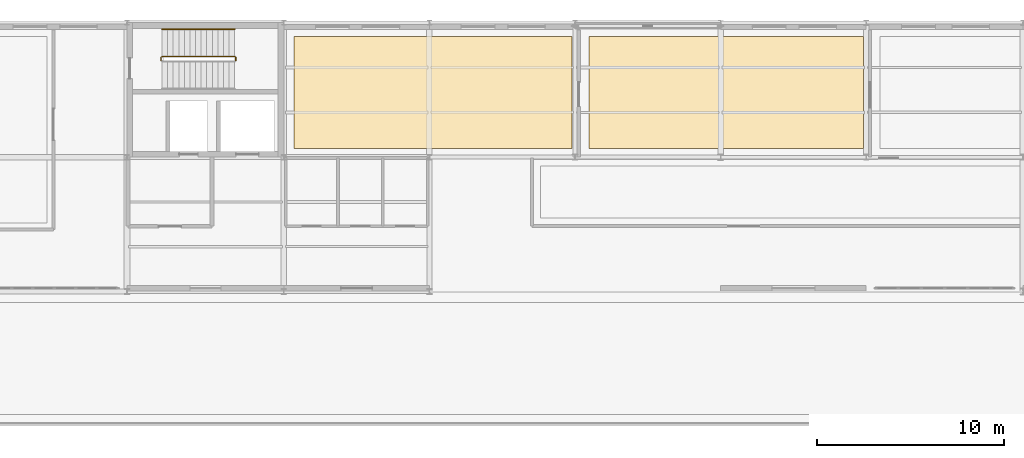
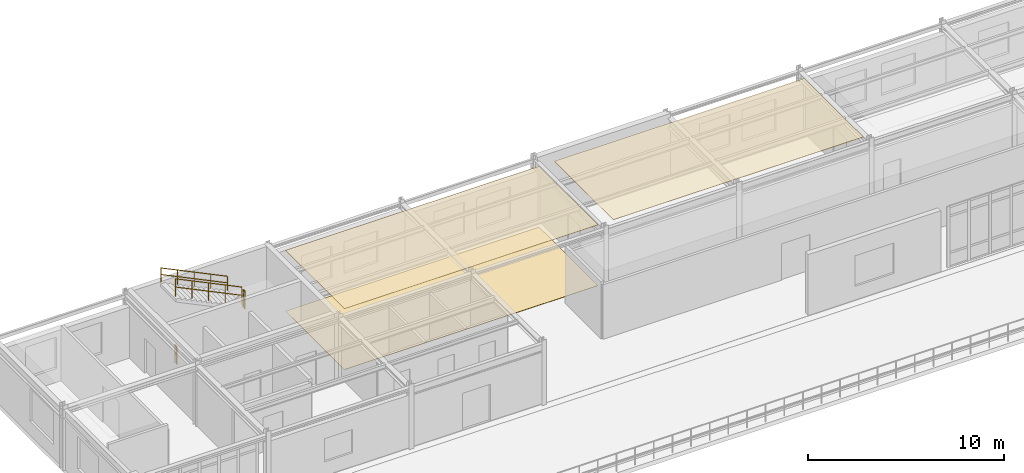
# One storey, part 57 of 58: 4 railings, 3 coverings.
"""IFC4 building model written with IfcOpenShell, lengths in metres."""

import ifcopenshell
import ifcopenshell.guid

model = None  # the IFC model being written
_history = None  # IfcOwnerHistory: only IFC2X3 demands one
_inside = {}  # id of a spatial element -> (the spatial element, [elements in it])
_under = {}  # id of a project, library or spatial element -> (it, [spatial elements below it])
_declared = {}  # id of a project -> (the project, [libraries it declares])
_typed = {}  # id of a type object -> (the type object, [elements of that type])
_made_of = {}  # id of a material, layer set ... -> (it, [elements and type objects made of it])


def new_model(schema):
    """Start an empty IFC model of exactly this schema.

    Asked for "IFC4X3", IfcOpenShell would pick the latest addendum, in which some entities
    have other attributes; the version numbers below select the first issue.
    IFC2X3 requires an IfcOwnerHistory on every rooted entity: one is made here for all.
    """
    global model, _history
    if schema == "IFC4X3":
        model = ifcopenshell.file(schema_version=(4, 3, 0, 0))
    else:
        model = ifcopenshell.file(schema=schema)
    _inside.clear()
    _under.clear()
    _declared.clear()
    _typed.clear()
    _made_of.clear()
    _history = None
    if model.schema == "IFC2X3":
        org = make("IfcOrganization", Name="unknown")
        user = make(
            "IfcPersonAndOrganization",
            ThePerson=make("IfcPerson", FamilyName="unknown"),
            TheOrganization=org,
        )
        app = make(
            "IfcApplication",
            ApplicationDeveloper=org,
            Version="unknown",
            ApplicationFullName="unknown",
            ApplicationIdentifier="unknown",
        )
        _history = make(
            "IfcOwnerHistory",
            OwningUser=user,
            OwningApplication=app,
            ChangeAction="ADDED",
            CreationDate=0,
        )
    return model


def make(cls, **values):
    """One entity of the class cls with the attributes given. An attribute that is None is left unset."""
    return model.create_entity(
        cls, **{name: value for name, value in values.items() if value is not None}
    )


def rooted(cls, **values):
    """An entity with a GlobalId (a new one), such as an element, a storey or a relation."""
    return make(cls, GlobalId=ifcopenshell.guid.new(), OwnerHistory=_history, **values)


def si_unit(unit_type, name, prefix=None):
    """IfcSIUnit, for example si_unit("LENGTHUNIT", "METRE", prefix="MILLI")."""
    return make("IfcSIUnit", UnitType=unit_type, Prefix=prefix, Name=name)


def derived_unit(unit_type, elements):
    """IfcDerivedUnit: a product of units, each with its exponent."""
    return make(
        "IfcDerivedUnit",
        Elements=[
            make("IfcDerivedUnitElement", Unit=unit, Exponent=power)
            for unit, power in elements
        ],
        UnitType=unit_type,
    )


def assignment(units):
    """IfcUnitAssignment: the units of a project."""
    return None if units is None else make("IfcUnitAssignment", Units=units)


def point(xyz):
    """IfcCartesianPoint."""
    return None if xyz is None else make("IfcCartesianPoint", Coordinates=xyz)


def direction(xyz):
    """IfcDirection."""
    return None if xyz is None else make("IfcDirection", DirectionRatios=xyz)


def frame(location, z_axis=None, x_axis=None):
    """IfcAxis2Placement3D, a coordinate frame: its origin and axes. An axis left out is left unset."""
    return make(
        "IfcAxis2Placement3D",
        Location=point(location),
        Axis=direction(z_axis),
        RefDirection=direction(x_axis),
    )


def frame_2d(location, x_axis=None):
    """IfcAxis2Placement2D, a coordinate frame in the plane: its origin and x axis."""
    return make(
        "IfcAxis2Placement2D", Location=point(location), RefDirection=direction(x_axis)
    )


def origin():
    """The frame at (0, 0, 0) with its axes left unset."""
    return frame((0.0, 0.0, 0.0))


def origin_2d():
    """The frame at (0, 0) in the plane with its x axis left unset."""
    return frame_2d((0.0, 0.0))


def place(relative_to, where):
    """IfcLocalPlacement: puts the frame where relative to a parent placement (None: the world)."""
    return make(
        "IfcLocalPlacement", PlacementRelTo=relative_to, RelativePlacement=where
    )


def context(
    kind, dimensions, precision=None, world=None, true_north=None, identifier=None
):
    """IfcGeometricRepresentationContext, for example the 3D "Model" context."""
    return make(
        "IfcGeometricRepresentationContext",
        ContextIdentifier=identifier,
        ContextType=kind,
        CoordinateSpaceDimension=dimensions,
        Precision=precision,
        WorldCoordinateSystem=world,
        TrueNorth=true_north,
    )


def subcontext(parent, identifier, kind, view, scale=None):
    """IfcGeometricRepresentationSubContext, for example "Body" below "Model"."""
    return make(
        "IfcGeometricRepresentationSubContext",
        ContextIdentifier=identifier,
        ContextType=kind,
        ParentContext=parent,
        TargetScale=scale,
        TargetView=view,
    )


def project(units=None, contexts=None):
    """IfcProject with its units and contexts."""
    return rooted(
        "IfcProject",
        Name="project",
        RepresentationContexts=contexts,
        UnitsInContext=assignment(units),
    )


def spatial(cls, under=None, at=None, **own):
    """A site, building, storey or space (cls), placed at a placement, below another one or the project."""
    s = rooted(cls, ObjectPlacement=at, **own)
    if under is not None:
        _under.setdefault(under.id(), (under, []))[1].append(s)
    return s


def polyline(points):
    """IfcPolyline through the points."""
    return make("IfcPolyline", Points=[point(p) for p in points])


def profile(cls, at=None, kind="AREA", **sizes):
    """A parametric profile (cls). Its sizes go by their IFC names, for example OverallWidth=200.0."""
    return make(cls, ProfileType=kind, Position=at, **sizes)


def circle(**sizes):
    """IfcCircleProfileDef."""
    return profile("IfcCircleProfileDef", **sizes)


def outline(outer, holes=None, kind="AREA"):
    """IfcArbitraryClosedProfileDef: a profile drawn as a closed curve; with holes, ...WithVoids."""
    if holes is None:
        return make("IfcArbitraryClosedProfileDef", ProfileType=kind, OuterCurve=outer)
    return make(
        "IfcArbitraryProfileDefWithVoids",
        ProfileType=kind,
        OuterCurve=outer,
        InnerCurves=holes,
    )


def extrude(swept, where, along, depth):
    """IfcExtrudedAreaSolid: the profile swept, set in the frame where, extruded along a direction by depth."""
    return make(
        "IfcExtrudedAreaSolid",
        SweptArea=swept,
        Position=where,
        ExtrudedDirection=direction(along),
        Depth=depth,
    )


def shape(context_of_items, identifier, shape_type, items):
    """IfcShapeRepresentation: the items that make up one representation, for example the "Body"."""
    return make(
        "IfcShapeRepresentation",
        ContextOfItems=context_of_items,
        RepresentationIdentifier=identifier,
        RepresentationType=shape_type,
        Items=items,
    )


def material(Name=None, Category=None):
    """IfcMaterial."""
    return make("IfcMaterial", Name=Name, Category=Category)


def layer(
    of_material, thickness, ventilated=None, Name=None, Category=None, Priority=None
):
    """IfcMaterialLayer: one layer of a wall or slab, of a material (None: an air gap)."""
    return make(
        "IfcMaterialLayer",
        Material=of_material,
        LayerThickness=thickness,
        IsVentilated=ventilated,
        Name=Name,
        Category=Category,
        Priority=Priority,
    )


def layer_set(layers, Name=None):
    """IfcMaterialLayerSet."""
    return make("IfcMaterialLayerSet", MaterialLayers=layers, LayerSetName=Name)


def made_of(thing, what):
    """Note that an element or type object is made of a material, layer set ...; save() writes the relation."""
    if what is not None:
        _made_of.setdefault(what.id(), (what, []))[1].append(thing)
    return thing


def type_object(cls, material=None, **own):
    """A type object (cls), such as IfcWallType, which elements share."""
    return made_of(rooted(cls, **own), material)


def element(
    cls,
    number,
    at=None,
    inside=None,
    cuts=None,
    type_object=None,
    material=None,
    context=None,
    identifier="Body",
    shape_type=None,
    held_by="IfcProductDefinitionShape",
    body=None,
    shapes=None,
    **own,
):
    """One element of the class cls, such as IfcWall. Its Tag is "e" and its number.

    at: its placement. inside: the storey or other place that contains it. cuts: it is an
    opening in that element (IfcRelVoidsElement). A single representation is given by context,
    identifier, shape_type and body (its items); several are given by shapes. held_by: the class
    of the entity that holds the representations. save() writes the other relations.
    """
    e = rooted(cls, Tag="e%d" % number, ObjectPlacement=at, **own)
    if body is not None:
        shapes = [shape(context, identifier, shape_type, body)]
    if shapes is not None:
        e.Representation = make(held_by, Representations=shapes)
    if inside is not None:
        _inside.setdefault(inside.id(), (inside, []))[1].append(e)
    if cuts is not None:
        rooted(
            "IfcRelVoidsElement", RelatingBuildingElement=cuts, RelatedOpeningElement=e
        )
    if type_object is not None:
        _typed.setdefault(type_object.id(), (type_object, []))[1].append(e)
    return made_of(e, material)


def aggregate(whole, parts):
    """IfcRelAggregates: a whole, such as a stair, and the parts it consists of."""
    return rooted("IfcRelAggregates", RelatingObject=whole, RelatedObjects=parts)


def save(model, path):
    """Write the relations noted so far, then the file.

    IfcRelAggregates (storeys below a building ...), IfcRelContainedInSpatialStructure (elements
    in a storey), IfcRelDefinesByType, IfcRelAssociatesMaterial and IfcRelDeclares: one each for
    every whole, place, type object, material and project.
    """
    for whole, parts in _under.values():
        aggregate(whole, parts)
    for where, things in _inside.values():
        rooted(
            "IfcRelContainedInSpatialStructure",
            RelatedElements=things,
            RelatingStructure=where,
        )
    for kind, things in _typed.values():
        rooted("IfcRelDefinesByType", RelatedObjects=things, RelatingType=kind)
    for what, things in _made_of.values():
        rooted("IfcRelAssociatesMaterial", RelatedObjects=things, RelatingMaterial=what)
    for by, libraries in _declared.values():
        rooted("IfcRelDeclares", RelatingContext=by, RelatedDefinitions=libraries)
    model.write(path)


model = new_model("IFC4")

# Units and contexts
model_context = context("Model", 3, precision=1e-05, world=origin(), true_north=direction((0.0, 1.0)))
body_context = subcontext(model_context, "Body", "Model", "MODEL_VIEW")
ifc_project = project(units=[si_unit("LENGTHUNIT", "METRE"), si_unit("AREAUNIT", "SQUARE_METRE"), si_unit("VOLUMEUNIT", "CUBIC_METRE"), si_unit("PLANEANGLEUNIT", "RADIAN"), si_unit("MASSUNIT", "GRAM", prefix="KILO"), derived_unit("THERMALTRANSMITTANCEUNIT", [(si_unit("POWERUNIT", "WATT"), 1), (si_unit("AREAUNIT", "SQUARE_METRE"), -1), (si_unit("THERMODYNAMICTEMPERATUREUNIT", "KELVIN"), -1)])], contexts=[model_context])

# Site, building, storey
site_placement = place(None, origin())
site = spatial("IfcSite", under=ifc_project, at=site_placement, CompositionType="ELEMENT")
building_placement = place(site_placement, origin())
building = spatial("IfcBuilding", under=site, at=building_placement, Name="Yasenodar Specialist Clinic", CompositionType="ELEMENT")
storey_placement = place(building_placement, frame((0.0, 0.0, 21.300048828125)))
storey = spatial("IfcBuildingStorey", under=building, at=storey_placement, Name="L05", CompositionType="ELEMENT", Elevation=21.300048828125)

# Coverings
ifc_material_1 = material(Name="Hygienic Acoustic Mineral-Fibre Ceiling")
ifc_layer_1 = layer(ifc_material_1, 0.02490234375)
ifc_layer_set_1 = layer_set([ifc_layer_1], Name="Hygienic Acoustic Mineral-Fibre Ceiling")
covering_type_1 = type_object("IfcCoveringType", Name="COV-CEIL-AC", PredefinedType="CEILING", material=ifc_layer_set_1)
covering_1_placement = place(storey_placement, frame((0.0, 0.0, 3.77490234375)))
element("IfcCovering", 1, at=covering_1_placement, inside=storey, type_object=covering_type_1, Name="L05 Medical Seminar Room A Acoustic Ceiling", PredefinedType="CEILING", context=body_context, shape_type="SweptSolid", body=[
    extrude(outline(polyline([(80.85009765625, 104.85009765625), (65.949951171875, 104.85009765625), (65.949951171875, 110.85009765625), (80.85009765625, 110.85009765625), (80.85009765625, 104.85009765625)])), origin(), (0.0, 0.0, 1.0), 0.025146484375),
])
covering_2_placement = place(storey_placement, frame((0.0, 0.0, 3.77490234375)))
element("IfcCovering", 2, at=covering_2_placement, inside=storey, type_object=covering_type_1, Name="L05 Medical Seminar Room B Acoustic Ceiling", PredefinedType="CEILING", context=body_context, shape_type="SweptSolid", body=[
    extrude(outline(polyline([(96.449951171875, 104.85009765625), (81.75, 104.85009765625), (81.75, 110.85009765625), (96.449951171875, 110.85009765625), (96.449951171875, 104.85009765625)])), origin(), (0.0, 0.0, 1.0), 0.025146484375),
])
ifc_material_2 = material(Name="Seamless Epoxy Terrazzo Clinical Flooring")
ifc_layer_2 = layer(ifc_material_2, 0.02001953125)
ifc_layer_set_2 = layer_set([ifc_layer_2], Name="Seamless Epoxy Terrazzo Clinical Flooring")
covering_type_2 = type_object("IfcCoveringType", Name="COV-FLR-TERR", PredefinedType="FLOORING", material=ifc_layer_set_2)
covering_3_placement = place(storey_placement, origin())
element("IfcCovering", 3, at=covering_3_placement, inside=storey, type_object=covering_type_2, Name="L05 Medical Seminar Room A Terrazzo Flooring", PredefinedType="FLOORING", context=body_context, shape_type="SweptSolid", body=[
    extrude(outline(polyline([(80.85009765625, 104.85009765625), (65.949951171875, 104.85009765625), (65.949951171875, 110.85009765625), (80.85009765625, 110.85009765625), (80.85009765625, 104.85009765625)])), origin(), (0.0, 0.0, 1.0), 0.02001953125),
])

# Railings
ifc_material_3 = material(Name="Steel S355 Painted Stair Guardrail", Category="steel")
railing_type_1 = type_object("IfcRailingType", Name="RL-ST-GRD", PredefinedType="GUARDRAIL", material=ifc_material_3)
railing_1_placement = place(storey_placement, frame((62.820068359375, 109.580078125, 2.02490234375)))
element("IfcRailing", 4, at=railing_1_placement, inside=storey, type_object=railing_type_1, Name="L05 ST-04 stair guard 2", PredefinedType="GUARDRAIL", context=body_context, shape_type="SweptSolid", body=[
    extrude(circle(Radius=0.02392578125, at=origin_2d()), frame((0.0, 0.0, 1.09619140625), z_axis=(0.0, 1.0, 0.0), x_axis=(-1.0, 0.0, 0.0)), (0.0, 0.0, 1.0), 0.159912109375),
    extrude(circle(Radius=0.02392578125, at=origin_2d()), frame((0.0, 0.0, 0.58251953125), z_axis=(0.0, 1.0, 0.0), x_axis=(-1.0, 0.0, 0.0)), (0.0, 0.0, 1.0), 0.159912109375),
    extrude(circle(Radius=0.02099609375, at=origin_2d()), origin(), (0.0, 0.0, 1.0), 1.072021484375),
    extrude(circle(Radius=0.02099609375, at=origin_2d()), frame((0.0, 0.159912109375, 0.0)), (0.0, 0.0, 1.0), 1.072021484375),
])
railing_2_placement = place(storey_placement, frame((62.77001953125, 109.7900390625, 2.169677734375)))
element("IfcRailing", 5, at=railing_2_placement, inside=storey, type_object=railing_type_1, Name="L05 ST-04 stair guard 3", PredefinedType="GUARDRAIL", context=body_context, shape_type="SweptSolid", body=[
    extrude(circle(Radius=0.02392578125, at=origin_2d()), frame((0.0, 0.0, 1.09619140625), z_axis=(-0.900763166376, 0.0, 0.434310623978), x_axis=(0.0, -1.0, 0.0)), (0.0, 0.0, 1.0), 4.32958984375),
    extrude(circle(Radius=0.02392578125, at=origin_2d()), frame((0.0, 0.0, 0.58251953125), z_axis=(-0.900763166376, 0.0, 0.434310623978), x_axis=(0.0, -1.0, 0.0)), (0.0, 0.0, 1.0), 4.32958984375),
    extrude(circle(Radius=0.02099609375, at=origin_2d()), origin(), (0.0, 0.0, 1.0), 1.072021484375),
    extrude(circle(Radius=0.02099609375, at=origin_2d()), frame((-0.97509765625, 0.0, 0.47021484375)), (0.0, 0.0, 1.0), 1.072021484375),
    extrude(circle(Radius=0.02099609375, at=origin_2d()), frame((-1.949951171875, 0.0, 0.940185546875)), (0.0, 0.0, 1.0), 1.072021484375),
    extrude(circle(Radius=0.02099609375, at=origin_2d()), frame((-2.9248046875, 0.0, 1.41015625)), (0.0, 0.0, 1.0), 1.072021484375),
    extrude(circle(Radius=0.02099609375, at=origin_2d()), frame((-3.89990234375, 0.0, 1.88037109375)), (0.0, 0.0, 1.0), 1.072021484375),
])
railing_3_placement = place(storey_placement, frame((58.820068359375, 109.580078125, 0.0)))
element("IfcRailing", 6, at=railing_3_placement, inside=storey, type_object=railing_type_1, Name="L05 ST-04 stair guard 4", PredefinedType="GUARDRAIL", context=body_context, shape_type="SweptSolid", body=[
    extrude(circle(Radius=0.02392578125, at=origin_2d()), frame((0.0, 0.0, 1.09619140625), z_axis=(0.0, 1.0, 0.0), x_axis=(-1.0, 0.0, 0.0)), (0.0, 0.0, 1.0), 0.159912109375),
    extrude(circle(Radius=0.02392578125, at=origin_2d()), frame((0.0, 0.0, 0.58251953125), z_axis=(0.0, 1.0, 0.0), x_axis=(-1.0, 0.0, 0.0)), (0.0, 0.0, 1.0), 0.159912109375),
    extrude(circle(Radius=0.02099609375, at=origin_2d()), origin(), (0.0, 0.0, 1.0), 1.072021484375),
    extrude(circle(Radius=0.02099609375, at=origin_2d()), frame((0.0, 0.159912109375, 0.0)), (0.0, 0.0, 1.0), 1.072021484375),
])
ifc_material_4 = material(Name="Brushed Stainless Steel Handrail", Category="steel")
railing_type_2 = type_object("IfcRailingType", Name="RL-ST-HND", PredefinedType="HANDRAIL", material=ifc_material_4)
railing_4_placement = place(storey_placement, frame((62.77001953125, 111.260009765625, 2.169677734375)))
element("IfcRailing", 7, at=railing_4_placement, inside=storey, type_object=railing_type_2, Name="L05 ST-04 stair handrail 2", PredefinedType="HANDRAIL", context=body_context, shape_type="SweptSolid", body=[
    extrude(circle(Radius=0.02392578125, at=origin_2d()), frame((0.0, 0.0, 0.8759765625), z_axis=(-0.900763166376, 0.0, 0.434310623978), x_axis=(0.0, -1.0, 0.0)), (0.0, 0.0, 1.0), 4.32958984375),
    extrude(circle(Radius=0.02392578125, at=origin_2d()), frame((0.0, 0.0, 0.468017578125), z_axis=(-0.900763166376, 0.0, 0.434310623978), x_axis=(0.0, -1.0, 0.0)), (0.0, 0.0, 1.0), 4.32958984375),
    extrude(circle(Radius=0.02099609375, at=origin_2d()), origin(), (0.0, 0.0, 1.0), 0.851806640625),
    extrude(circle(Radius=0.02099609375, at=origin_2d()), frame((-0.97509765625, 0.0, 0.47021484375)), (0.0, 0.0, 1.0), 0.851806640625),
    extrude(circle(Radius=0.02099609375, at=origin_2d()), frame((-1.949951171875, 0.0, 0.940185546875)), (0.0, 0.0, 1.0), 0.851806640625),
    extrude(circle(Radius=0.02099609375, at=origin_2d()), frame((-2.9248046875, 0.0, 1.41015625)), (0.0, 0.0, 1.0), 0.851806640625),
    extrude(circle(Radius=0.02099609375, at=origin_2d()), frame((-3.89990234375, 0.0, 1.88037109375)), (0.0, 0.0, 1.0), 0.851806640625),
])

save(model, "model.ifc")
